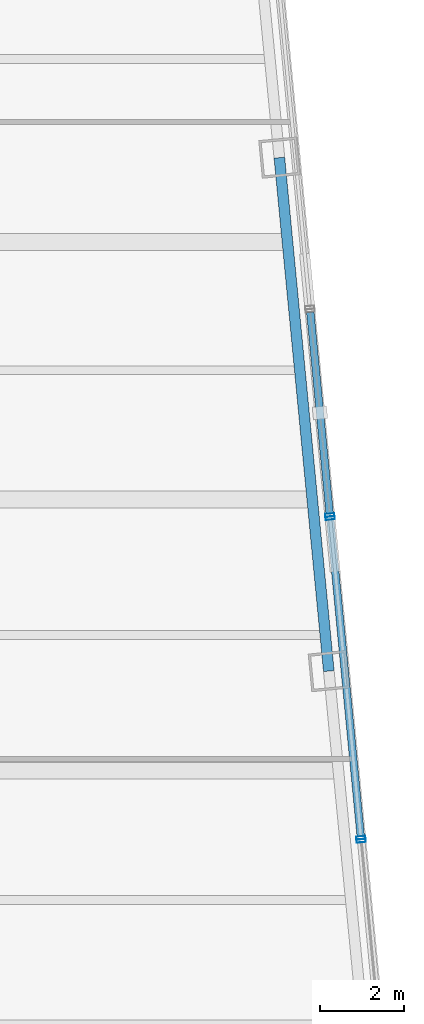
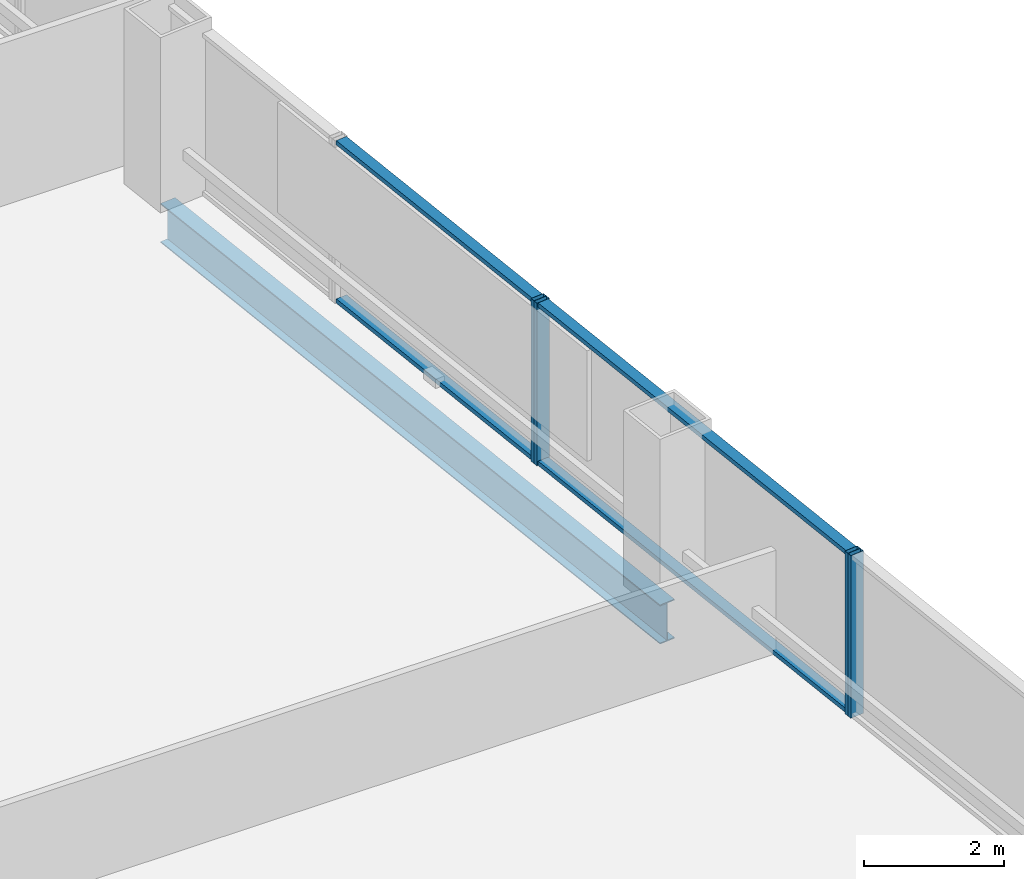
# One storey, part 15 of 32: 8 members, 1 beam, 3 elements without a shape of their own.
"""IFC4 building model written with IfcOpenShell, lengths in metres."""

import ifcopenshell
import ifcopenshell.guid

model = None  # the IFC model being written
_history = None  # IfcOwnerHistory: only IFC2X3 demands one
_inside = {}  # id of a spatial element -> (the spatial element, [elements in it])
_under = {}  # id of a project, library or spatial element -> (it, [spatial elements below it])
_declared = {}  # id of a project -> (the project, [libraries it declares])
_typed = {}  # id of a type object -> (the type object, [elements of that type])
_made_of = {}  # id of a material, layer set ... -> (it, [elements and type objects made of it])


def new_model(schema):
    """Start an empty IFC model of exactly this schema.

    Asked for "IFC4X3", IfcOpenShell would pick the latest addendum, in which some entities
    have other attributes; the version numbers below select the first issue.
    IFC2X3 requires an IfcOwnerHistory on every rooted entity: one is made here for all.
    """
    global model, _history
    if schema == "IFC4X3":
        model = ifcopenshell.file(schema_version=(4, 3, 0, 0))
    else:
        model = ifcopenshell.file(schema=schema)
    _inside.clear()
    _under.clear()
    _declared.clear()
    _typed.clear()
    _made_of.clear()
    _history = None
    if model.schema == "IFC2X3":
        org = make("IfcOrganization", Name="unknown")
        user = make(
            "IfcPersonAndOrganization",
            ThePerson=make("IfcPerson", FamilyName="unknown"),
            TheOrganization=org,
        )
        app = make(
            "IfcApplication",
            ApplicationDeveloper=org,
            Version="unknown",
            ApplicationFullName="unknown",
            ApplicationIdentifier="unknown",
        )
        _history = make(
            "IfcOwnerHistory",
            OwningUser=user,
            OwningApplication=app,
            ChangeAction="ADDED",
            CreationDate=0,
        )
    return model


def make(cls, **values):
    """One entity of the class cls with the attributes given. An attribute that is None is left unset."""
    return model.create_entity(
        cls, **{name: value for name, value in values.items() if value is not None}
    )


def rooted(cls, **values):
    """An entity with a GlobalId (a new one), such as an element, a storey or a relation."""
    return make(cls, GlobalId=ifcopenshell.guid.new(), OwnerHistory=_history, **values)


def si_unit(unit_type, name, prefix=None):
    """IfcSIUnit, for example si_unit("LENGTHUNIT", "METRE", prefix="MILLI")."""
    return make("IfcSIUnit", UnitType=unit_type, Prefix=prefix, Name=name)


def assignment(units):
    """IfcUnitAssignment: the units of a project."""
    return None if units is None else make("IfcUnitAssignment", Units=units)


def point(xyz):
    """IfcCartesianPoint."""
    return None if xyz is None else make("IfcCartesianPoint", Coordinates=xyz)


def direction(xyz):
    """IfcDirection."""
    return None if xyz is None else make("IfcDirection", DirectionRatios=xyz)


def frame(location, z_axis=None, x_axis=None):
    """IfcAxis2Placement3D, a coordinate frame: its origin and axes. An axis left out is left unset."""
    return make(
        "IfcAxis2Placement3D",
        Location=point(location),
        Axis=direction(z_axis),
        RefDirection=direction(x_axis),
    )


def frame_2d(location, x_axis=None):
    """IfcAxis2Placement2D, a coordinate frame in the plane: its origin and x axis."""
    return make(
        "IfcAxis2Placement2D", Location=point(location), RefDirection=direction(x_axis)
    )


def origin():
    """The frame at (0, 0, 0) with its axes left unset."""
    return frame((0.0, 0.0, 0.0))


def origin_2d():
    """The frame at (0, 0) in the plane with its x axis left unset."""
    return frame_2d((0.0, 0.0))


def place(relative_to, where):
    """IfcLocalPlacement: puts the frame where relative to a parent placement (None: the world)."""
    return make(
        "IfcLocalPlacement", PlacementRelTo=relative_to, RelativePlacement=where
    )


def context(
    kind, dimensions, precision=None, world=None, true_north=None, identifier=None
):
    """IfcGeometricRepresentationContext, for example the 3D "Model" context."""
    return make(
        "IfcGeometricRepresentationContext",
        ContextIdentifier=identifier,
        ContextType=kind,
        CoordinateSpaceDimension=dimensions,
        Precision=precision,
        WorldCoordinateSystem=world,
        TrueNorth=true_north,
    )


def subcontext(parent, identifier, kind, view, scale=None):
    """IfcGeometricRepresentationSubContext, for example "Body" below "Model"."""
    return make(
        "IfcGeometricRepresentationSubContext",
        ContextIdentifier=identifier,
        ContextType=kind,
        ParentContext=parent,
        TargetScale=scale,
        TargetView=view,
    )


def project(units=None, contexts=None):
    """IfcProject with its units and contexts."""
    return rooted(
        "IfcProject",
        Name="project",
        RepresentationContexts=contexts,
        UnitsInContext=assignment(units),
    )


def spatial(cls, under=None, at=None, **own):
    """A site, building, storey or space (cls), placed at a placement, below another one or the project."""
    s = rooted(cls, ObjectPlacement=at, **own)
    if under is not None:
        _under.setdefault(under.id(), (under, []))[1].append(s)
    return s


def profile(cls, at=None, kind="AREA", **sizes):
    """A parametric profile (cls). Its sizes go by their IFC names, for example OverallWidth=200.0."""
    return make(cls, ProfileType=kind, Position=at, **sizes)


def hollow_rectangle(**sizes):
    """IfcRectangleHollowProfileDef."""
    return profile("IfcRectangleHollowProfileDef", **sizes)


def i_section(**sizes):
    """IfcIShapeProfileDef."""
    return profile("IfcIShapeProfileDef", **sizes)


def extrude(swept, where, along, depth):
    """IfcExtrudedAreaSolid: the profile swept, set in the frame where, extruded along a direction by depth."""
    return make(
        "IfcExtrudedAreaSolid",
        SweptArea=swept,
        Position=where,
        ExtrudedDirection=direction(along),
        Depth=depth,
    )


def shape(context_of_items, identifier, shape_type, items):
    """IfcShapeRepresentation: the items that make up one representation, for example the "Body"."""
    return make(
        "IfcShapeRepresentation",
        ContextOfItems=context_of_items,
        RepresentationIdentifier=identifier,
        RepresentationType=shape_type,
        Items=items,
    )


def material(Name=None, Category=None):
    """IfcMaterial."""
    return make("IfcMaterial", Name=Name, Category=Category)


def layer(
    of_material, thickness, ventilated=None, Name=None, Category=None, Priority=None
):
    """IfcMaterialLayer: one layer of a wall or slab, of a material (None: an air gap)."""
    return make(
        "IfcMaterialLayer",
        Material=of_material,
        LayerThickness=thickness,
        IsVentilated=ventilated,
        Name=Name,
        Category=Category,
        Priority=Priority,
    )


def layer_set(layers, Name=None):
    """IfcMaterialLayerSet."""
    return make("IfcMaterialLayerSet", MaterialLayers=layers, LayerSetName=Name)


def material_profile(
    of_material, cross_section, Name=None, Category=None, Priority=None
):
    """IfcMaterialProfile: a cross section and its material."""
    return make(
        "IfcMaterialProfile",
        Name=Name,
        Material=of_material,
        Profile=cross_section,
        Priority=Priority,
        Category=Category,
    )


def profile_set(profiles, Name=None, composite=None):
    """IfcMaterialProfileSet."""
    return make(
        "IfcMaterialProfileSet",
        Name=Name,
        MaterialProfiles=profiles,
        CompositeProfile=composite,
    )


def made_of(thing, what):
    """Note that an element or type object is made of a material, layer set ...; save() writes the relation."""
    if what is not None:
        _made_of.setdefault(what.id(), (what, []))[1].append(thing)
    return thing


def type_object(cls, material=None, **own):
    """A type object (cls), such as IfcWallType, which elements share."""
    return made_of(rooted(cls, **own), material)


def element(
    cls,
    number,
    at=None,
    inside=None,
    cuts=None,
    type_object=None,
    material=None,
    context=None,
    identifier="Body",
    shape_type=None,
    held_by="IfcProductDefinitionShape",
    body=None,
    shapes=None,
    **own,
):
    """One element of the class cls, such as IfcWall. Its Tag is "e" and its number.

    at: its placement. inside: the storey or other place that contains it. cuts: it is an
    opening in that element (IfcRelVoidsElement). A single representation is given by context,
    identifier, shape_type and body (its items); several are given by shapes. held_by: the class
    of the entity that holds the representations. save() writes the other relations.
    """
    e = rooted(cls, Tag="e%d" % number, ObjectPlacement=at, **own)
    if body is not None:
        shapes = [shape(context, identifier, shape_type, body)]
    if shapes is not None:
        e.Representation = make(held_by, Representations=shapes)
    if inside is not None:
        _inside.setdefault(inside.id(), (inside, []))[1].append(e)
    if cuts is not None:
        rooted(
            "IfcRelVoidsElement", RelatingBuildingElement=cuts, RelatedOpeningElement=e
        )
    if type_object is not None:
        _typed.setdefault(type_object.id(), (type_object, []))[1].append(e)
    return made_of(e, material)


def aggregate(whole, parts):
    """IfcRelAggregates: a whole, such as a stair, and the parts it consists of."""
    return rooted("IfcRelAggregates", RelatingObject=whole, RelatedObjects=parts)


def save(model, path):
    """Write the relations noted so far, then the file.

    IfcRelAggregates (storeys below a building ...), IfcRelContainedInSpatialStructure (elements
    in a storey), IfcRelDefinesByType, IfcRelAssociatesMaterial and IfcRelDeclares: one each for
    every whole, place, type object, material and project.
    """
    for whole, parts in _under.values():
        aggregate(whole, parts)
    for where, things in _inside.values():
        rooted(
            "IfcRelContainedInSpatialStructure",
            RelatedElements=things,
            RelatingStructure=where,
        )
    for kind, things in _typed.values():
        rooted("IfcRelDefinesByType", RelatedObjects=things, RelatingType=kind)
    for what, things in _made_of.values():
        rooted("IfcRelAssociatesMaterial", RelatedObjects=things, RelatingMaterial=what)
    for by, libraries in _declared.values():
        rooted("IfcRelDeclares", RelatingContext=by, RelatedDefinitions=libraries)
    model.write(path)


model = new_model("IFC4")

# Units and contexts
model_context = context("Model", 3, precision=1e-05, world=origin(), true_north=direction((0.0, 1.0)))
body_context = subcontext(model_context, "Body", "Model", "MODEL_VIEW")
ifc_project = project(units=[si_unit("LENGTHUNIT", "METRE"), si_unit("AREAUNIT", "SQUARE_METRE"), si_unit("VOLUMEUNIT", "CUBIC_METRE"), si_unit("PLANEANGLEUNIT", "RADIAN"), si_unit("MASSUNIT", "GRAM", prefix="KILO")], contexts=[model_context])

# Site, building, storey
site_placement = place(None, origin())
site = spatial("IfcSite", under=ifc_project, at=site_placement, CompositionType="ELEMENT")
building_placement = place(site_placement, origin())
building = spatial("IfcBuilding", under=site, at=building_placement, Name="Qhalaya Broadcast Tower", CompositionType="ELEMENT")
storey_placement = place(building_placement, frame((0.0, 0.0, 87.75)))
storey = spatial("IfcBuildingStorey", under=building, at=storey_placement, Name="L25", CompositionType="ELEMENT", Elevation=87.75)

# Beam
ifc_material_1 = material(Name="Structural Steel ASTM A992 Grade 50", Category="steel")
ifc_material_profile_1 = material_profile(ifc_material_1, i_section(OverallWidth=0.25390625, OverallDepth=0.68310546875, WebThickness=0.012451171875, FlangeThickness=0.01904296875, at=origin_2d()), Name="W27X94")
ifc_profile_set_1 = profile_set([ifc_material_profile_1], Name="Structural Steel ASTM A992 Grade 50")
beam_type = type_object("IfcBeamType", Name="Perimeter Ring Spandrel Beam SP1", PredefinedType="SPANDREL", material=ifc_profile_set_1)
beam_placement = place(storey_placement, frame((28.116943359375, -0.255126953125, -0.5615234375), z_axis=(-0.095851586307, 0.99539563662, 0.0), x_axis=(-0.99539563662, -0.095851586307, 0.0)))
element("IfcBeam", 1, at=beam_placement, inside=storey, type_object=beam_type, Name="L25 SP1 L25-SPR-06", PredefinedType="SPANDREL", context=body_context, shape_type="SweptSolid", body=[
    extrude(i_section(OverallWidth=0.25390625, OverallDepth=0.68310546875, WebThickness=0.012451171875, FlangeThickness=0.01904296875, at=origin_2d()), origin(), (0.0, 0.0, 1.0), 12.2666015625),
])

# Curtain wall, member
ifc_material_2 = material(Name="Solar-Control Low-E Triple Glazing", Category="glass")
ifc_layer_1 = layer(ifc_material_2, 0.219970703125, Name="Solar-Control Low-E Triple Glazing")
ifc_layer_set_1 = layer_set([ifc_layer_1], Name="Solar-Control Low-E Triple Glazing")
curtain_wall_type_1 = type_object("IfcCurtainWallType", Name="Even-Block 4-Storey Double-Module Curtain Wall CW-03", PredefinedType="NOTDEFINED", material=ifc_layer_set_1)
curtain_wall_1_placement = place(storey_placement, origin())
curtain_wall_1 = element("IfcCurtainWall", 2, at=curtain_wall_1_placement, inside=storey, type_object=curtain_wall_type_1, Name="L25 Unitised Curtain Wall L25-CW-E2", PredefinedType="NOTDEFINED")
ifc_material_3 = material(Name="Anodised Aluminium 6063-T6", Category="aluminium")
ifc_material_profile_2 = material_profile(ifc_material_3, hollow_rectangle(XDim=0.074951171875, YDim=0.219970703125, WallThickness=0.00390625, at=origin_2d()), Name="ALU-MUL 75x220x4")
ifc_profile_set_2 = profile_set([ifc_material_profile_2], Name="Anodised Aluminium 6063-T6")
member_type_1 = type_object("IfcMemberType", Name="Unitised Curtain-Wall Mullion M01", PredefinedType="MULLION", material=ifc_profile_set_2)
member_1_placement = place(storey_placement, frame((28.887451171875, -4.292236328125, 0.0), z_axis=(0.0, 0.0, 1.0), x_axis=(-0.095844611292, 0.995396308254, 0.0)))
member_1 = element("IfcMember", 3, at=member_1_placement, type_object=member_type_1, Name="CW-03 mullion 2", PredefinedType="MULLION", context=body_context, shape_type="SweptSolid", body=[
    extrude(hollow_rectangle(XDim=0.074951171875, YDim=0.219970703125, WallThickness=0.00390625, at=origin_2d()), origin(), (0.0, 0.0, 1.0), 2.830078125),
])
aggregate(curtain_wall_1, [member_1])

# Curtain wall, members
ifc_material_4 = material(Name="Fired Architectural Terracotta", Category="masonry")
ifc_layer_2 = layer(ifc_material_4, 0.219970703125, Name="Fired Architectural Terracotta")
ifc_layer_set_2 = layer_set([ifc_layer_2], Name="Fired Architectural Terracotta")
curtain_wall_type_2 = type_object("IfcCurtainWallType", Name="Block-Cap Unitised Terracotta Spandrel Wall CW-07", PredefinedType="NOTDEFINED", material=ifc_layer_set_2)
curtain_wall_2_placement = place(storey_placement, origin())
curtain_wall_2 = element("IfcCurtainWall", 4, at=curtain_wall_2_placement, inside=storey, type_object=curtain_wall_type_2, Name="L25 Unitised Curtain Wall L25-CW-E3", PredefinedType="NOTDEFINED")
member_2_placement = place(storey_placement, frame((28.880126953125, -4.217529296875, 0.0), z_axis=(0.0, 0.0, 1.0), x_axis=(-0.095849092763, 0.995395876733, 0.0)))
member_2 = element("IfcMember", 5, at=member_2_placement, type_object=member_type_1, Name="CW-07 mullion 1", PredefinedType="MULLION", context=body_context, shape_type="SweptSolid", body=[
    extrude(hollow_rectangle(XDim=0.074951171875, YDim=0.219970703125, WallThickness=0.00390625, at=origin_2d()), origin(), (0.0, 0.0, 1.0), 2.830078125),
])
member_3_placement = place(storey_placement, frame((28.1484375, 3.38134765625, 0.0), z_axis=(0.0, 0.0, 1.0), x_axis=(-0.095849092763, 0.995395876733, 0.0)))
member_3 = element("IfcMember", 6, at=member_3_placement, type_object=member_type_1, Name="CW-07 mullion 2", PredefinedType="MULLION", context=body_context, shape_type="SweptSolid", body=[
    extrude(hollow_rectangle(XDim=0.074951171875, YDim=0.219970703125, WallThickness=0.00390625, at=origin_2d()), origin(), (0.0, 0.0, 1.0), 2.830078125),
])

# Curtain wall, member
curtain_wall_3_placement = place(storey_placement, origin())
curtain_wall_3 = element("IfcCurtainWall", 7, at=curtain_wall_3_placement, inside=storey, type_object=curtain_wall_type_1, Name="L25 Unitised Curtain Wall L25-CW-E4", PredefinedType="NOTDEFINED")
member_4_placement = place(storey_placement, frame((28.141357421875, 3.4560546875, 0.0), z_axis=(0.0, 0.0, 1.0), x_axis=(-0.095844611292, 0.995396308254, 0.0)))
member_4 = element("IfcMember", 8, at=member_4_placement, type_object=member_type_1, Name="CW-03 mullion 1", PredefinedType="MULLION", context=body_context, shape_type="SweptSolid", body=[
    extrude(hollow_rectangle(XDim=0.074951171875, YDim=0.219970703125, WallThickness=0.00390625, at=origin_2d()), origin(), (0.0, 0.0, 1.0), 2.830078125),
])

# Member
ifc_material_profile_3 = material_profile(ifc_material_3, hollow_rectangle(XDim=0.074951171875, YDim=0.179931640625, WallThickness=0.00390625, at=origin_2d()), Name="ALU-TRN 75x180x4")
ifc_profile_set_3 = profile_set([ifc_material_profile_3], Name="Anodised Aluminium 6063-T6")
member_type_2 = type_object("IfcMemberType", Name="Unitised Curtain-Wall Transom T01", PredefinedType="USERDEFINED", material=ifc_profile_set_3)
member_5_placement = place(storey_placement, frame((28.876708984375, -4.18017578125, 0.03759765625), z_axis=(-0.095860723512, 0.995394756711, 0.0), x_axis=(0.0, 0.0, 1.0)))
member_5 = element("IfcMember", 9, at=member_5_placement, type_object=member_type_2, Name="CW-07 transom 1.1", ObjectType="TRANSOM", PredefinedType="USERDEFINED", context=body_context, shape_type="SweptSolid", body=[
    extrude(hollow_rectangle(XDim=0.074951171875, YDim=0.179931640625, WallThickness=0.00390625, at=origin_2d()), origin(), (0.0, 0.0, 1.0), 7.55908203125),
])

member_6_placement = place(storey_placement, frame((28.876708984375, -4.18017578125, 2.79248046875), z_axis=(-0.095860723512, 0.995394756711, 0.0), x_axis=(0.0, 0.0, 1.0)))
member_6 = element("IfcMember", 10, at=member_6_placement, type_object=member_type_2, Name="CW-07 transom 1.2", ObjectType="TRANSOM", PredefinedType="USERDEFINED", context=body_context, shape_type="SweptSolid", body=[
    extrude(hollow_rectangle(XDim=0.074951171875, YDim=0.179931640625, WallThickness=0.00390625, at=origin_2d()), origin(), (0.0, 0.0, 1.0), 7.55908203125),
])

aggregate(curtain_wall_2, [member_2, member_3, member_5, member_6])

member_7_placement = place(storey_placement, frame((28.1376953125, 3.493408203125, 0.03759765625), z_axis=(-0.0958178693, 0.995398882822, 0.0), x_axis=(0.0, 0.0, 1.0)))
member_7 = element("IfcMember", 11, at=member_7_placement, type_object=member_type_2, Name="CW-03 transom 1.1", ObjectType="TRANSOM", PredefinedType="USERDEFINED", context=body_context, shape_type="SweptSolid", body=[
    extrude(hollow_rectangle(XDim=0.074951171875, YDim=0.179931640625, WallThickness=0.00390625, at=origin_2d()), origin(), (0.0, 0.0, 1.0), 4.80810546875),
])

member_8_placement = place(storey_placement, frame((28.1376953125, 3.493408203125, 2.79248046875), z_axis=(-0.0958178693, 0.995398882822, 0.0), x_axis=(0.0, 0.0, 1.0)))
member_8 = element("IfcMember", 12, at=member_8_placement, type_object=member_type_2, Name="CW-03 transom 1.2", ObjectType="TRANSOM", PredefinedType="USERDEFINED", context=body_context, shape_type="SweptSolid", body=[
    extrude(hollow_rectangle(XDim=0.074951171875, YDim=0.179931640625, WallThickness=0.00390625, at=origin_2d()), origin(), (0.0, 0.0, 1.0), 4.80810546875),
])

aggregate(curtain_wall_3, [member_4, member_7, member_8])

save(model, "model.ifc")
